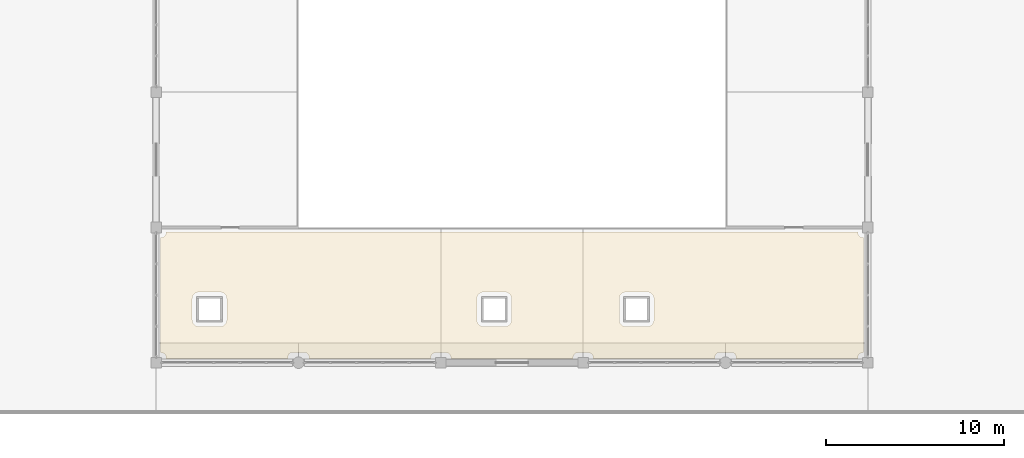
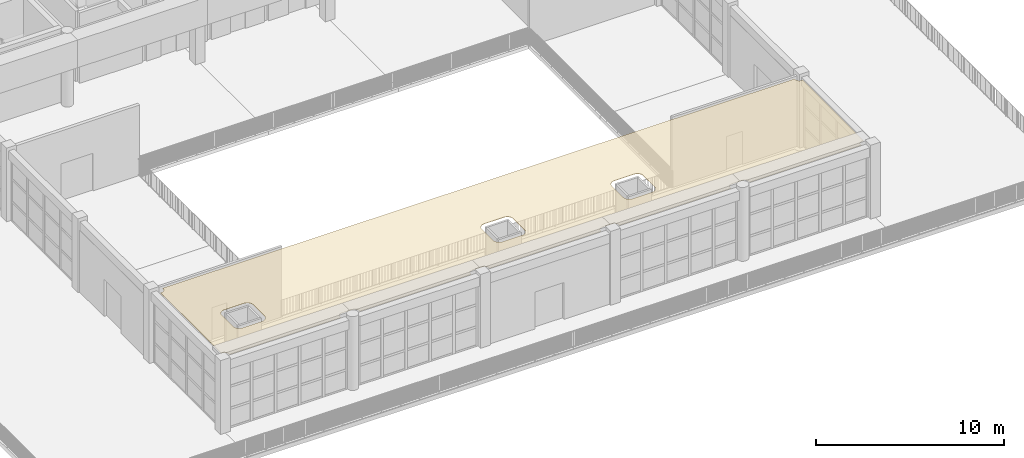
# One storey, part 29 of 32: 1 covering.
"""IFC4 building model written with IfcOpenShell, lengths in metres."""

from ifc_helpers import new_model, si_unit, direction, frame, origin, place, context, subcontext, project, spatial, polyline, outline, extrude, material, layer, layer_set, type_object, element, save


model = new_model("IFC4")

# Units and contexts
model_context = context("Model", 3, precision=1e-05, world=origin(), true_north=direction((0.0, 1.0)))
body_context = subcontext(model_context, "Body", "Model", "MODEL_VIEW")
ifc_project = project(units=[si_unit("LENGTHUNIT", "METRE"), si_unit("AREAUNIT", "SQUARE_METRE"), si_unit("VOLUMEUNIT", "CUBIC_METRE"), si_unit("PLANEANGLEUNIT", "RADIAN"), si_unit("MASSUNIT", "GRAM", prefix="KILO")], contexts=[model_context])

# Site, building, storey
site_placement = place(None, origin())
site = spatial("IfcSite", under=ifc_project, at=site_placement, CompositionType="ELEMENT")
building_placement = place(site_placement, origin())
building = spatial("IfcBuilding", under=site, at=building_placement, Name="Zantavel Square City Hall", CompositionType="ELEMENT")
storey_placement = place(building_placement, frame((0.0, 0.0, 23.699951171875)))
storey = spatial("IfcBuildingStorey", under=building, at=storey_placement, Name="L06", CompositionType="ELEMENT", Elevation=23.699951171875)

# Covering
ifc_material = material(Name="Gypsum acoustic stud assembly", Category="masonry")
ifc_layer = layer(ifc_material, 0.02490234375, Name="Gypsum acoustic stud assembly")
ifc_layer_set = layer_set([ifc_layer], Name="Gypsum acoustic stud assembly")
covering_type = type_object("IfcCoveringType", Name="Perforated Gypsum Acoustic Ceiling 25mm", PredefinedType="CEILING", material=ifc_layer_set)
covering_placement = place(storey_placement, frame((0.0, 0.0, 4.554931640625)))
element("IfcCovering", 1, at=covering_placement, inside=storey, type_object=covering_type, Name="L06 Council Public Gallery Acoustic Ceiling", PredefinedType="CEILING", context=body_context, shape_type="SweptSolid", body=[
    extrude(outline(polyline([(72.583740234375, 30.759521484375), (72.580078125, 30.78369140625), (72.57421875, 30.8076171875), (72.56591796875, 30.830810546875), (72.555419921875, 30.852783203125), (72.54296875, 30.873779296875), (72.5283203125, 30.8935546875), (72.51171875, 30.911865234375), (72.49365234375, 30.92822265625), (72.473876953125, 30.94287109375), (72.452880859375, 30.95556640625), (72.4306640625, 30.966064453125), (72.40771484375, 30.97412109375), (72.3837890625, 30.980224609375), (72.359619140625, 30.98388671875), (72.3349609375, 30.985107421875), (71.6650390625, 30.985107421875), (71.640380859375, 30.98388671875), (71.6162109375, 30.980224609375), (71.59228515625, 30.97412109375), (71.5693359375, 30.966064453125), (71.547119140625, 30.95556640625), (71.526123046875, 30.94287109375), (71.50634765625, 30.92822265625), (71.48828125, 30.911865234375), (71.4716796875, 30.8935546875), (71.45703125, 30.873779296875), (71.444580078125, 30.852783203125), (71.43408203125, 30.830810546875), (71.42578125, 30.8076171875), (71.419921875, 30.78369140625), (71.416259765625, 30.759521484375), (71.4150390625, 30.735107421875), (71.4150390625, 30.64990234375), (64.56005859375, 30.64990234375), (64.56005859375, 30.7099609375), (64.558837890625, 30.734619140625), (64.55517578125, 30.7587890625), (64.54931640625, 30.78271484375), (64.541015625, 30.8056640625), (64.530517578125, 30.827880859375), (64.517822265625, 30.848876953125), (64.50341796875, 30.86865234375), (64.48681640625, 30.88671875), (64.468505859375, 30.9033203125), (64.448974609375, 30.91796875), (64.427734375, 30.930419921875), (64.40576171875, 30.94091796875), (64.382568359375, 30.94921875), (64.35888671875, 30.955078125), (64.33447265625, 30.958740234375), (64.31005859375, 30.9599609375), (64.25, 30.9599609375), (64.25, 37.43994140625), (64.31005859375, 37.43994140625), (64.33447265625, 37.441162109375), (64.35888671875, 37.44482421875), (64.382568359375, 37.45068359375), (64.40576171875, 37.458984375), (64.427734375, 37.469482421875), (64.448974609375, 37.482177734375), (64.468505859375, 37.49658203125), (64.48681640625, 37.51318359375), (64.50341796875, 37.531494140625), (64.517822265625, 37.551025390625), (64.530517578125, 37.572265625), (64.541015625, 37.59423828125), (64.54931640625, 37.617431640625), (64.55517578125, 37.64111328125), (64.558837890625, 37.66552734375), (64.56005859375, 37.68994140625), (64.56005859375, 37.75), (103.43994140625, 37.75), (103.43994140625, 37.68994140625), (103.441162109375, 37.66552734375), (103.44482421875, 37.64111328125), (103.45068359375, 37.617431640625), (103.458984375, 37.59423828125), (103.469482421875, 37.572265625), (103.482177734375, 37.551025390625), (103.49658203125, 37.531494140625), (103.51318359375, 37.51318359375), (103.531494140625, 37.49658203125), (103.551025390625, 37.482177734375), (103.572265625, 37.469482421875), (103.59423828125, 37.458984375), (103.617431640625, 37.45068359375), (103.64111328125, 37.44482421875), (103.66552734375, 37.441162109375), (103.68994140625, 37.43994140625), (103.75, 37.43994140625), (103.75, 30.9599609375), (103.68994140625, 30.9599609375), (103.66552734375, 30.958740234375), (103.64111328125, 30.955078125), (103.617431640625, 30.94921875), (103.59423828125, 30.94091796875), (103.572265625, 30.930419921875), (103.551025390625, 30.91796875), (103.531494140625, 30.9033203125), (103.51318359375, 30.88671875), (103.49658203125, 30.86865234375), (103.482177734375, 30.848876953125), (103.469482421875, 30.827880859375), (103.458984375, 30.8056640625), (103.45068359375, 30.78271484375), (103.44482421875, 30.7587890625), (103.441162109375, 30.734619140625), (103.43994140625, 30.7099609375), (103.43994140625, 30.64990234375), (96.5849609375, 30.64990234375), (96.5849609375, 30.735107421875), (96.583740234375, 30.759521484375), (96.580078125, 30.78369140625), (96.57421875, 30.8076171875), (96.56591796875, 30.830810546875), (96.555419921875, 30.852783203125), (96.54296875, 30.873779296875), (96.5283203125, 30.8935546875), (96.51171875, 30.911865234375), (96.49365234375, 30.92822265625), (96.473876953125, 30.94287109375), (96.452880859375, 30.95556640625), (96.4306640625, 30.966064453125), (96.40771484375, 30.97412109375), (96.3837890625, 30.980224609375), (96.359619140625, 30.98388671875), (96.3349609375, 30.985107421875), (95.6650390625, 30.985107421875), (95.640380859375, 30.98388671875), (95.6162109375, 30.980224609375), (95.59228515625, 30.97412109375), (95.5693359375, 30.966064453125), (95.547119140625, 30.95556640625), (95.526123046875, 30.94287109375), (95.50634765625, 30.92822265625), (95.48828125, 30.911865234375), (95.4716796875, 30.8935546875), (95.45703125, 30.873779296875), (95.444580078125, 30.852783203125), (95.43408203125, 30.830810546875), (95.42578125, 30.8076171875), (95.419921875, 30.78369140625), (95.416259765625, 30.759521484375), (95.4150390625, 30.735107421875), (95.4150390625, 30.64990234375), (88.56005859375, 30.64990234375), (88.56005859375, 30.7099609375), (88.558837890625, 30.734619140625), (88.55517578125, 30.7587890625), (88.54931640625, 30.78271484375), (88.541015625, 30.8056640625), (88.530517578125, 30.827880859375), (88.517822265625, 30.848876953125), (88.50341796875, 30.86865234375), (88.48681640625, 30.88671875), (88.468505859375, 30.9033203125), (88.448974609375, 30.91796875), (88.427734375, 30.930419921875), (88.40576171875, 30.94091796875), (88.382568359375, 30.94921875), (88.35888671875, 30.955078125), (88.33447265625, 30.958740234375), (88.31005859375, 30.9599609375), (87.68994140625, 30.9599609375), (87.66552734375, 30.958740234375), (87.64111328125, 30.955078125), (87.617431640625, 30.94921875), (87.59423828125, 30.94091796875), (87.572265625, 30.930419921875), (87.551025390625, 30.91796875), (87.531494140625, 30.9033203125), (87.51318359375, 30.88671875), (87.49658203125, 30.86865234375), (87.482177734375, 30.848876953125), (87.469482421875, 30.827880859375), (87.458984375, 30.8056640625), (87.45068359375, 30.78271484375), (87.44482421875, 30.7587890625), (87.441162109375, 30.734619140625), (87.43994140625, 30.7099609375), (87.43994140625, 30.64990234375), (80.56005859375, 30.64990234375), (80.56005859375, 30.7099609375), (80.558837890625, 30.734619140625), (80.55517578125, 30.7587890625), (80.54931640625, 30.78271484375), (80.541015625, 30.8056640625), (80.530517578125, 30.827880859375), (80.517822265625, 30.848876953125), (80.50341796875, 30.86865234375), (80.48681640625, 30.88671875), (80.468505859375, 30.9033203125), (80.448974609375, 30.91796875), (80.427734375, 30.930419921875), (80.40576171875, 30.94091796875), (80.382568359375, 30.94921875), (80.35888671875, 30.955078125), (80.33447265625, 30.958740234375), (80.31005859375, 30.9599609375), (79.68994140625, 30.9599609375), (79.66552734375, 30.958740234375), (79.64111328125, 30.955078125), (79.617431640625, 30.94921875), (79.59423828125, 30.94091796875), (79.572265625, 30.930419921875), (79.551025390625, 30.91796875), (79.531494140625, 30.9033203125), (79.51318359375, 30.88671875), (79.49658203125, 30.86865234375), (79.482177734375, 30.848876953125), (79.469482421875, 30.827880859375), (79.458984375, 30.8056640625), (79.45068359375, 30.78271484375), (79.44482421875, 30.7587890625), (79.441162109375, 30.734619140625), (79.43994140625, 30.7099609375), (79.43994140625, 30.64990234375), (72.5849609375, 30.64990234375), (72.5849609375, 30.735107421875), (72.583740234375, 30.759521484375)]), holes=[polyline([(90.3876953125, 32.430419921875), (90.39990234375, 32.429931640625), (91.60009765625, 32.429931640625), (91.6123046875, 32.430419921875), (91.6240234375, 32.430908203125), (91.6484375, 32.433349609375), (91.66015625, 32.43505859375), (91.68408203125, 32.439697265625), (91.695556640625, 32.442626953125), (91.718994140625, 32.44970703125), (91.72998046875, 32.45361328125), (91.752685546875, 32.463134765625), (91.763427734375, 32.46826171875), (91.78515625, 32.479736328125), (91.795166015625, 32.48583984375), (91.815673828125, 32.49951171875), (91.8251953125, 32.50634765625), (91.843994140625, 32.52197265625), (91.852783203125, 32.52978515625), (91.8701171875, 32.54736328125), (91.8779296875, 32.555908203125), (91.8935546875, 32.574951171875), (91.900634765625, 32.58447265625), (91.914306640625, 32.604736328125), (91.92041015625, 32.614990234375), (91.931884765625, 32.636474609375), (91.93701171875, 32.647216796875), (91.9462890625, 32.669921875), (91.9501953125, 32.680908203125), (91.957275390625, 32.704345703125), (91.960205078125, 32.7158203125), (91.965087890625, 32.739990234375), (91.966796875, 32.751708984375), (91.968994140625, 32.77587890625), (91.9697265625, 32.78759765625), (91.969970703125, 32.800048828125), (91.969970703125, 34.0), (91.9697265625, 34.01220703125), (91.968994140625, 34.02392578125), (91.966796875, 34.04833984375), (91.965087890625, 34.06005859375), (91.960205078125, 34.084228515625), (91.957275390625, 34.095703125), (91.9501953125, 34.119140625), (91.9462890625, 34.130126953125), (91.93701171875, 34.15283203125), (91.931884765625, 34.16357421875), (91.92041015625, 34.18505859375), (91.914306640625, 34.1953125), (91.900634765625, 34.215576171875), (91.8935546875, 34.22509765625), (91.8779296875, 34.243896484375), (91.8701171875, 34.252685546875), (91.852783203125, 34.27001953125), (91.843994140625, 34.278076171875), (91.8251953125, 34.293701171875), (91.815673828125, 34.300537109375), (91.795166015625, 34.314208984375), (91.78515625, 34.3203125), (91.763427734375, 34.331787109375), (91.752685546875, 34.3369140625), (91.72998046875, 34.34619140625), (91.718994140625, 34.35009765625), (91.695556640625, 34.357421875), (91.68408203125, 34.360107421875), (91.66015625, 34.364990234375), (91.6484375, 34.36669921875), (91.6240234375, 34.369140625), (91.6123046875, 34.36962890625), (91.60009765625, 34.3701171875), (90.39990234375, 34.3701171875), (90.3876953125, 34.36962890625), (90.3759765625, 34.369140625), (90.3515625, 34.36669921875), (90.33984375, 34.364990234375), (90.31591796875, 34.360107421875), (90.304443359375, 34.357421875), (90.281005859375, 34.35009765625), (90.27001953125, 34.34619140625), (90.247314453125, 34.3369140625), (90.236572265625, 34.331787109375), (90.21484375, 34.3203125), (90.204833984375, 34.314208984375), (90.184326171875, 34.300537109375), (90.1748046875, 34.293701171875), (90.156005859375, 34.278076171875), (90.147216796875, 34.27001953125), (90.1298828125, 34.252685546875), (90.1220703125, 34.243896484375), (90.1064453125, 34.22509765625), (90.099365234375, 34.215576171875), (90.085693359375, 34.1953125), (90.07958984375, 34.18505859375), (90.068115234375, 34.16357421875), (90.06298828125, 34.15283203125), (90.0537109375, 34.130126953125), (90.0498046875, 34.119140625), (90.042724609375, 34.095703125), (90.039794921875, 34.084228515625), (90.034912109375, 34.06005859375), (90.033203125, 34.04833984375), (90.031005859375, 34.02392578125), (90.0302734375, 34.01220703125), (90.030029296875, 34.0), (90.030029296875, 32.800048828125), (90.0302734375, 32.78759765625), (90.031005859375, 32.77587890625), (90.033203125, 32.751708984375), (90.034912109375, 32.739990234375), (90.039794921875, 32.7158203125), (90.042724609375, 32.704345703125), (90.0498046875, 32.680908203125), (90.0537109375, 32.669921875), (90.06298828125, 32.647216796875), (90.068115234375, 32.636474609375), (90.07958984375, 32.614990234375), (90.085693359375, 32.604736328125), (90.099365234375, 32.58447265625), (90.1064453125, 32.574951171875), (90.1220703125, 32.555908203125), (90.1298828125, 32.54736328125), (90.147216796875, 32.52978515625), (90.156005859375, 32.52197265625), (90.1748046875, 32.50634765625), (90.184326171875, 32.49951171875), (90.204833984375, 32.48583984375), (90.21484375, 32.479736328125), (90.236572265625, 32.46826171875), (90.247314453125, 32.463134765625), (90.27001953125, 32.45361328125), (90.281005859375, 32.44970703125), (90.304443359375, 32.442626953125), (90.31591796875, 32.439697265625), (90.33984375, 32.43505859375), (90.3515625, 32.433349609375), (90.3759765625, 32.430908203125), (90.3876953125, 32.430419921875)]), polyline([(82.3515625, 32.433349609375), (82.3759765625, 32.430908203125), (82.3876953125, 32.430419921875), (82.39990234375, 32.429931640625), (83.60009765625, 32.429931640625), (83.6123046875, 32.430419921875), (83.6240234375, 32.430908203125), (83.6484375, 32.433349609375), (83.66015625, 32.43505859375), (83.68408203125, 32.439697265625), (83.695556640625, 32.442626953125), (83.718994140625, 32.44970703125), (83.72998046875, 32.45361328125), (83.752685546875, 32.463134765625), (83.763427734375, 32.46826171875), (83.78515625, 32.479736328125), (83.795166015625, 32.48583984375), (83.815673828125, 32.49951171875), (83.8251953125, 32.50634765625), (83.843994140625, 32.52197265625), (83.852783203125, 32.52978515625), (83.8701171875, 32.54736328125), (83.8779296875, 32.555908203125), (83.8935546875, 32.574951171875), (83.900634765625, 32.58447265625), (83.914306640625, 32.604736328125), (83.92041015625, 32.614990234375), (83.931884765625, 32.636474609375), (83.93701171875, 32.647216796875), (83.9462890625, 32.669921875), (83.9501953125, 32.680908203125), (83.957275390625, 32.704345703125), (83.960205078125, 32.7158203125), (83.965087890625, 32.739990234375), (83.966796875, 32.751708984375), (83.968994140625, 32.77587890625), (83.9697265625, 32.78759765625), (83.969970703125, 32.800048828125), (83.969970703125, 34.0), (83.9697265625, 34.01220703125), (83.968994140625, 34.02392578125), (83.966796875, 34.04833984375), (83.965087890625, 34.06005859375), (83.960205078125, 34.084228515625), (83.957275390625, 34.095703125), (83.9501953125, 34.119140625), (83.9462890625, 34.130126953125), (83.93701171875, 34.15283203125), (83.931884765625, 34.16357421875), (83.92041015625, 34.18505859375), (83.914306640625, 34.1953125), (83.900634765625, 34.215576171875), (83.8935546875, 34.22509765625), (83.8779296875, 34.243896484375), (83.8701171875, 34.252685546875), (83.852783203125, 34.27001953125), (83.843994140625, 34.278076171875), (83.8251953125, 34.293701171875), (83.815673828125, 34.300537109375), (83.795166015625, 34.314208984375), (83.78515625, 34.3203125), (83.763427734375, 34.331787109375), (83.752685546875, 34.3369140625), (83.72998046875, 34.34619140625), (83.718994140625, 34.35009765625), (83.695556640625, 34.357421875), (83.68408203125, 34.360107421875), (83.66015625, 34.364990234375), (83.6484375, 34.36669921875), (83.6240234375, 34.369140625), (83.6123046875, 34.36962890625), (83.60009765625, 34.3701171875), (82.39990234375, 34.3701171875), (82.3876953125, 34.36962890625), (82.3759765625, 34.369140625), (82.3515625, 34.36669921875), (82.33984375, 34.364990234375), (82.31591796875, 34.360107421875), (82.304443359375, 34.357421875), (82.281005859375, 34.35009765625), (82.27001953125, 34.34619140625), (82.247314453125, 34.3369140625), (82.236572265625, 34.331787109375), (82.21484375, 34.3203125), (82.204833984375, 34.314208984375), (82.184326171875, 34.300537109375), (82.1748046875, 34.293701171875), (82.156005859375, 34.278076171875), (82.147216796875, 34.27001953125), (82.1298828125, 34.252685546875), (82.1220703125, 34.243896484375), (82.1064453125, 34.22509765625), (82.099365234375, 34.215576171875), (82.085693359375, 34.1953125), (82.07958984375, 34.18505859375), (82.068115234375, 34.16357421875), (82.06298828125, 34.15283203125), (82.0537109375, 34.130126953125), (82.0498046875, 34.119140625), (82.042724609375, 34.095703125), (82.039794921875, 34.084228515625), (82.034912109375, 34.06005859375), (82.033203125, 34.04833984375), (82.031005859375, 34.02392578125), (82.0302734375, 34.01220703125), (82.030029296875, 34.0), (82.030029296875, 32.800048828125), (82.0302734375, 32.78759765625), (82.031005859375, 32.77587890625), (82.033203125, 32.751708984375), (82.034912109375, 32.739990234375), (82.039794921875, 32.7158203125), (82.042724609375, 32.704345703125), (82.0498046875, 32.680908203125), (82.0537109375, 32.669921875), (82.06298828125, 32.647216796875), (82.068115234375, 32.636474609375), (82.07958984375, 32.614990234375), (82.085693359375, 32.604736328125), (82.099365234375, 32.58447265625), (82.1064453125, 32.574951171875), (82.1220703125, 32.555908203125), (82.1298828125, 32.54736328125), (82.147216796875, 32.52978515625), (82.156005859375, 32.52197265625), (82.1748046875, 32.50634765625), (82.184326171875, 32.49951171875), (82.204833984375, 32.48583984375), (82.21484375, 32.479736328125), (82.236572265625, 32.46826171875), (82.247314453125, 32.463134765625), (82.27001953125, 32.45361328125), (82.281005859375, 32.44970703125), (82.304443359375, 32.442626953125), (82.31591796875, 32.439697265625), (82.33984375, 32.43505859375), (82.3515625, 32.433349609375)]), polyline([(66.3515625, 32.433349609375), (66.3759765625, 32.430908203125), (66.3876953125, 32.430419921875), (66.39990234375, 32.429931640625), (67.60009765625, 32.429931640625), (67.6123046875, 32.430419921875), (67.6240234375, 32.430908203125), (67.6484375, 32.433349609375), (67.66015625, 32.43505859375), (67.68408203125, 32.439697265625), (67.695556640625, 32.442626953125), (67.718994140625, 32.44970703125), (67.72998046875, 32.45361328125), (67.752685546875, 32.463134765625), (67.763427734375, 32.46826171875), (67.78515625, 32.479736328125), (67.795166015625, 32.48583984375), (67.815673828125, 32.49951171875), (67.8251953125, 32.50634765625), (67.843994140625, 32.52197265625), (67.852783203125, 32.52978515625), (67.8701171875, 32.54736328125), (67.8779296875, 32.555908203125), (67.8935546875, 32.574951171875), (67.900634765625, 32.58447265625), (67.914306640625, 32.604736328125), (67.92041015625, 32.614990234375), (67.931884765625, 32.636474609375), (67.93701171875, 32.647216796875), (67.9462890625, 32.669921875), (67.9501953125, 32.680908203125), (67.957275390625, 32.704345703125), (67.960205078125, 32.7158203125), (67.965087890625, 32.739990234375), (67.966796875, 32.751708984375), (67.968994140625, 32.77587890625), (67.9697265625, 32.78759765625), (67.969970703125, 32.800048828125), (67.969970703125, 34.0), (67.9697265625, 34.01220703125), (67.968994140625, 34.02392578125), (67.966796875, 34.04833984375), (67.965087890625, 34.06005859375), (67.960205078125, 34.084228515625), (67.957275390625, 34.095703125), (67.9501953125, 34.119140625), (67.9462890625, 34.130126953125), (67.93701171875, 34.15283203125), (67.931884765625, 34.16357421875), (67.92041015625, 34.18505859375), (67.914306640625, 34.1953125), (67.900634765625, 34.215576171875), (67.8935546875, 34.22509765625), (67.8779296875, 34.243896484375), (67.8701171875, 34.252685546875), (67.852783203125, 34.27001953125), (67.843994140625, 34.278076171875), (67.8251953125, 34.293701171875), (67.815673828125, 34.300537109375), (67.795166015625, 34.314208984375), (67.78515625, 34.3203125), (67.763427734375, 34.331787109375), (67.752685546875, 34.3369140625), (67.72998046875, 34.34619140625), (67.718994140625, 34.35009765625), (67.695556640625, 34.357421875), (67.68408203125, 34.360107421875), (67.66015625, 34.364990234375), (67.6484375, 34.36669921875), (67.6240234375, 34.369140625), (67.6123046875, 34.36962890625), (67.60009765625, 34.3701171875), (66.39990234375, 34.3701171875), (66.3876953125, 34.36962890625), (66.3759765625, 34.369140625), (66.3515625, 34.36669921875), (66.33984375, 34.364990234375), (66.31591796875, 34.360107421875), (66.304443359375, 34.357421875), (66.281005859375, 34.35009765625), (66.27001953125, 34.34619140625), (66.247314453125, 34.3369140625), (66.236572265625, 34.331787109375), (66.21484375, 34.3203125), (66.204833984375, 34.314208984375), (66.184326171875, 34.300537109375), (66.1748046875, 34.293701171875), (66.156005859375, 34.278076171875), (66.147216796875, 34.27001953125), (66.1298828125, 34.252685546875), (66.1220703125, 34.243896484375), (66.1064453125, 34.22509765625), (66.099365234375, 34.215576171875), (66.085693359375, 34.1953125), (66.07958984375, 34.18505859375), (66.068115234375, 34.16357421875), (66.06298828125, 34.15283203125), (66.0537109375, 34.130126953125), (66.0498046875, 34.119140625), (66.042724609375, 34.095703125), (66.039794921875, 34.084228515625), (66.034912109375, 34.06005859375), (66.033203125, 34.04833984375), (66.031005859375, 34.02392578125), (66.0302734375, 34.01220703125), (66.030029296875, 34.0), (66.030029296875, 32.800048828125), (66.0302734375, 32.78759765625), (66.031005859375, 32.77587890625), (66.033203125, 32.751708984375), (66.034912109375, 32.739990234375), (66.039794921875, 32.7158203125), (66.042724609375, 32.704345703125), (66.0498046875, 32.680908203125), (66.0537109375, 32.669921875), (66.06298828125, 32.647216796875), (66.068115234375, 32.636474609375), (66.07958984375, 32.614990234375), (66.085693359375, 32.604736328125), (66.099365234375, 32.58447265625), (66.1064453125, 32.574951171875), (66.1220703125, 32.555908203125), (66.1298828125, 32.54736328125), (66.147216796875, 32.52978515625), (66.156005859375, 32.52197265625), (66.1748046875, 32.50634765625), (66.184326171875, 32.49951171875), (66.204833984375, 32.48583984375), (66.21484375, 32.479736328125), (66.236572265625, 32.46826171875), (66.247314453125, 32.463134765625), (66.27001953125, 32.45361328125), (66.281005859375, 32.44970703125), (66.304443359375, 32.442626953125), (66.31591796875, 32.439697265625), (66.33984375, 32.43505859375), (66.3515625, 32.433349609375)])]), origin(), (0.0, 0.0, 1.0), 0.025146484375),
])

save(model, "model.ifc")
